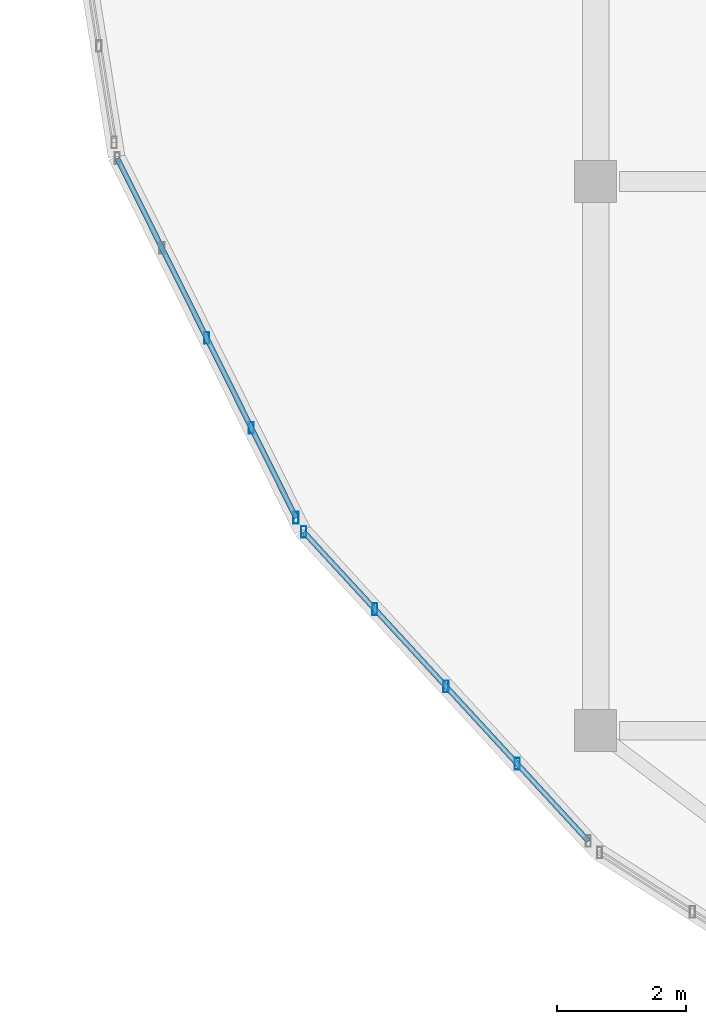
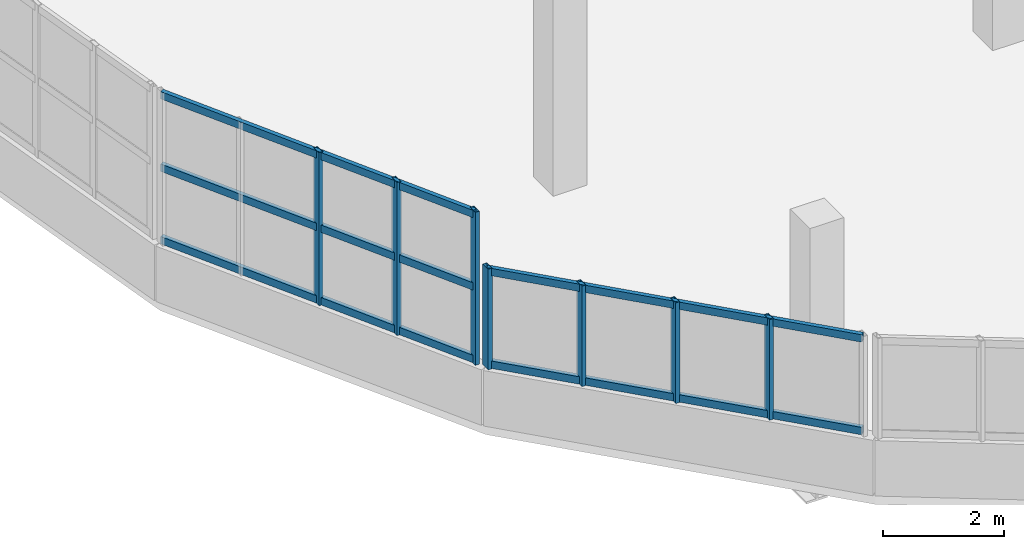
# One storey, part 6 of 50: 12 members, 2 elements without a shape of their own.
"""IFC4 building model written with IfcOpenShell, lengths in metres."""

from ifc_helpers import new_model, si_unit, direction, frame, origin, origin_2d, place, context, subcontext, project, spatial, hollow_rectangle, extrude, material, material_profile, profile_set, type_object, element, aggregate, save


model = new_model("IFC4")

# Units and contexts
model_context = context("Model", 3, precision=1e-05, world=origin(), true_north=direction((0.0, 1.0)))
body_context = subcontext(model_context, "Body", "Model", "MODEL_VIEW")
ifc_project = project(units=[si_unit("LENGTHUNIT", "METRE"), si_unit("AREAUNIT", "SQUARE_METRE"), si_unit("VOLUMEUNIT", "CUBIC_METRE"), si_unit("PLANEANGLEUNIT", "RADIAN"), si_unit("MASSUNIT", "GRAM", prefix="KILO")], contexts=[model_context])

# Site, building, storey
site_placement = place(None, origin())
site = spatial("IfcSite", under=ifc_project, at=site_placement, CompositionType="ELEMENT")
building_placement = place(site_placement, origin())
building = spatial("IfcBuilding", under=site, at=building_placement, Name="Solvento Point Concert Hall", CompositionType="ELEMENT")
storey_placement = place(building_placement, frame((0.0, 0.0, 15.0)))
storey = spatial("IfcBuildingStorey", under=building, at=storey_placement, Name="L03", CompositionType="ELEMENT", Elevation=15.0)

# Curtain wall, members
ifc_material_1 = material(Name="Anodized Bronze Aluminium", Category="aluminium")
curtain_wall_type = type_object("IfcCurtainWallType", Name="CurtainWall_RingRibbon_L03_04", PredefinedType="USERDEFINED", material=ifc_material_1)
curtain_wall_1_placement = place(storey_placement, origin())
curtain_wall_1 = element("IfcCurtainWall", 1, at=curtain_wall_1_placement, inside=storey, type_object=curtain_wall_type, Name="Unitised curtain wall CW-31 UCW-L03-188", ObjectType="UNITISED CURTAIN WALL", PredefinedType="USERDEFINED")
ifc_material_2 = material(Name="Anodized Bronze Aluminium", Category="aluminium")
ifc_material_profile_1 = material_profile(ifc_material_2, hollow_rectangle(XDim=0.080078125, YDim=0.179931640625, WallThickness=0.00390625, at=origin_2d()), Name="CW-MUL-80X180")
ifc_profile_set_1 = profile_set([ifc_material_profile_1], Name="Anodized Bronze Aluminium")
member_type_1 = type_object("IfcMemberType", Name="Mullion_80x180", PredefinedType="MULLION", material=ifc_profile_set_1)
member_1_placement = place(storey_placement, frame((39.58447265625, 16.48779296875, 1.1201171875), z_axis=(0.0, 0.0, 1.0), x_axis=(1.0, 0.0, 0.0)))
member_1 = element("IfcMember", 2, at=member_1_placement, type_object=member_type_1, Name="Curtain wall mullion ML-01", PredefinedType="MULLION", context=body_context, shape_type="SweptSolid", body=[
    extrude(hollow_rectangle(XDim=0.080078125, YDim=0.179931640625, WallThickness=0.00390625, at=origin_2d()), origin(), (0.0, 0.0, 1.0), 2.031982421875),
])
member_2_placement = place(storey_placement, frame((38.482666015625, 17.6845703125, 1.1201171875), z_axis=(0.0, 0.0, 1.0), x_axis=(1.0, 0.0, 0.0)))
member_2 = element("IfcMember", 3, at=member_2_placement, type_object=member_type_1, Name="Curtain wall mullion ML-01", PredefinedType="MULLION", context=body_context, shape_type="SweptSolid", body=[
    extrude(hollow_rectangle(XDim=0.080078125, YDim=0.179931640625, WallThickness=0.00390625, at=origin_2d()), origin(), (0.0, 0.0, 1.0), 2.031982421875),
])
member_3_placement = place(storey_placement, frame((37.380615234375, 18.88134765625, 1.1201171875), z_axis=(0.0, 0.0, 1.0), x_axis=(1.0, 0.0, 0.0)))
member_3 = element("IfcMember", 4, at=member_3_placement, type_object=member_type_1, Name="Curtain wall mullion ML-01", PredefinedType="MULLION", context=body_context, shape_type="SweptSolid", body=[
    extrude(hollow_rectangle(XDim=0.080078125, YDim=0.179931640625, WallThickness=0.00390625, at=origin_2d()), origin(), (0.0, 0.0, 1.0), 2.031982421875),
])
member_4_placement = place(storey_placement, frame((36.27880859375, 20.077880859375, 1.1201171875), z_axis=(0.0, 0.0, 1.0), x_axis=(1.0, 0.0, 0.0)))
member_4 = element("IfcMember", 5, at=member_4_placement, type_object=member_type_1, Name="Curtain wall mullion ML-01", PredefinedType="MULLION", context=body_context, shape_type="SweptSolid", body=[
    extrude(hollow_rectangle(XDim=0.080078125, YDim=0.179931640625, WallThickness=0.00390625, at=origin_2d()), origin(), (0.0, 0.0, 1.0), 2.031982421875),
])

curtain_wall_2_placement = place(storey_placement, origin())
curtain_wall_2 = element("IfcCurtainWall", 6, at=curtain_wall_2_placement, inside=storey, type_object=curtain_wall_type, Name="Unitised curtain wall CW-31 UCW-L03-189", ObjectType="UNITISED CURTAIN WALL", PredefinedType="USERDEFINED")
member_5_placement = place(storey_placement, frame((36.16064453125, 20.297119140625, 1.1201171875), z_axis=(0.0, 0.0, 1.0), x_axis=(1.0, 0.0, 0.0)))
member_5 = element("IfcMember", 7, at=member_5_placement, type_object=member_type_1, Name="Curtain wall mullion ML-01", PredefinedType="MULLION", context=body_context, shape_type="SweptSolid", body=[
    extrude(hollow_rectangle(XDim=0.080078125, YDim=0.179931640625, WallThickness=0.00390625, at=origin_2d()), origin(), (0.0, 0.0, 1.0), 3.08984375),
])
member_6_placement = place(storey_placement, frame((35.468994140625, 21.68798828125, 1.1201171875), z_axis=(0.0, 0.0, 1.0), x_axis=(1.0, 0.0, 0.0)))
member_6 = element("IfcMember", 8, at=member_6_placement, type_object=member_type_1, Name="Curtain wall mullion ML-01", PredefinedType="MULLION", context=body_context, shape_type="SweptSolid", body=[
    extrude(hollow_rectangle(XDim=0.080078125, YDim=0.179931640625, WallThickness=0.00390625, at=origin_2d()), origin(), (0.0, 0.0, 1.0), 3.08984375),
])
member_7_placement = place(storey_placement, frame((34.777587890625, 23.0791015625, 1.1201171875), z_axis=(0.0, 0.0, 1.0), x_axis=(1.0, 0.0, 0.0)))
member_7 = element("IfcMember", 9, at=member_7_placement, type_object=member_type_1, Name="Curtain wall mullion ML-01", PredefinedType="MULLION", context=body_context, shape_type="SweptSolid", body=[
    extrude(hollow_rectangle(XDim=0.080078125, YDim=0.179931640625, WallThickness=0.00390625, at=origin_2d()), origin(), (0.0, 0.0, 1.0), 3.08984375),
])

# Member
ifc_material_3 = material(Name="Anodized Bronze Aluminium", Category="aluminium")
ifc_material_profile_2 = material_profile(ifc_material_3, hollow_rectangle(XDim=0.080078125, YDim=0.14990234375, WallThickness=0.00390625, at=origin_2d()), Name="CW-TRN-80X150")
ifc_profile_set_2 = profile_set([ifc_material_profile_2], Name="Anodized Bronze Aluminium")
member_type_2 = type_object("IfcMemberType", Name="Transom_80x150", PredefinedType="USERDEFINED", material=ifc_profile_set_2)
member_8_placement = place(storey_placement, frame((40.686279296875, 15.291259765625, 1.199951171875), z_axis=(-0.677371042666, 0.735641536726, 0.0), x_axis=(-0.735641536726, -0.677371042666, 0.0)))
member_8 = element("IfcMember", 10, at=member_8_placement, type_object=member_type_2, Name="Curtain wall transom TR-01", ObjectType="TRANSOM", PredefinedType="USERDEFINED", context=body_context, shape_type="SweptSolid", body=[
    extrude(hollow_rectangle(XDim=0.080078125, YDim=0.14990234375, WallThickness=0.00390625, at=origin_2d()), origin(), (0.0, 0.0, 1.0), 6.5068359375),
])

member_9_placement = place(storey_placement, frame((40.686279296875, 15.291259765625, 3.072021484375), z_axis=(-0.677371042666, 0.735641536726, 0.0), x_axis=(-0.735641536726, -0.677371042666, 0.0)))
member_9 = element("IfcMember", 11, at=member_9_placement, type_object=member_type_2, Name="Curtain wall transom TR-01", ObjectType="TRANSOM", PredefinedType="USERDEFINED", context=body_context, shape_type="SweptSolid", body=[
    extrude(hollow_rectangle(XDim=0.080078125, YDim=0.14990234375, WallThickness=0.00390625, at=origin_2d()), origin(), (0.0, 0.0, 1.0), 6.5068359375),
])

aggregate(curtain_wall_1, [member_1, member_2, member_3, member_4, member_8, member_9])

member_10_placement = place(storey_placement, frame((36.16064453125, 20.297119140625, 1.199951171875), z_axis=(-0.445122119468, 0.895469875965, 0.0), x_axis=(-0.895469875965, -0.445122119468, 0.0)))
member_10 = element("IfcMember", 12, at=member_10_placement, type_object=member_type_2, Name="Curtain wall transom TR-01", ObjectType="TRANSOM", PredefinedType="USERDEFINED", context=body_context, shape_type="SweptSolid", body=[
    extrude(hollow_rectangle(XDim=0.080078125, YDim=0.14990234375, WallThickness=0.00390625, at=origin_2d()), origin(), (0.0, 0.0, 1.0), 6.213623046875),
])

member_11_placement = place(storey_placement, frame((36.16064453125, 20.297119140625, 2.6650390625), z_axis=(-0.445122119468, 0.895469875965, 0.0), x_axis=(-0.895469875965, -0.445122119468, 0.0)))
member_11 = element("IfcMember", 13, at=member_11_placement, type_object=member_type_2, Name="Curtain wall transom TR-01", ObjectType="TRANSOM", PredefinedType="USERDEFINED", context=body_context, shape_type="SweptSolid", body=[
    extrude(hollow_rectangle(XDim=0.080078125, YDim=0.14990234375, WallThickness=0.00390625, at=origin_2d()), origin(), (0.0, 0.0, 1.0), 6.213623046875),
])

member_12_placement = place(storey_placement, frame((36.16064453125, 20.297119140625, 4.1298828125), z_axis=(-0.445122119468, 0.895469875965, 0.0), x_axis=(-0.895469875965, -0.445122119468, 0.0)))
member_12 = element("IfcMember", 14, at=member_12_placement, type_object=member_type_2, Name="Curtain wall transom TR-01", ObjectType="TRANSOM", PredefinedType="USERDEFINED", context=body_context, shape_type="SweptSolid", body=[
    extrude(hollow_rectangle(XDim=0.080078125, YDim=0.14990234375, WallThickness=0.00390625, at=origin_2d()), origin(), (0.0, 0.0, 1.0), 6.213623046875),
])

aggregate(curtain_wall_2, [member_5, member_6, member_7, member_10, member_11, member_12])

save(model, "model.ifc")
